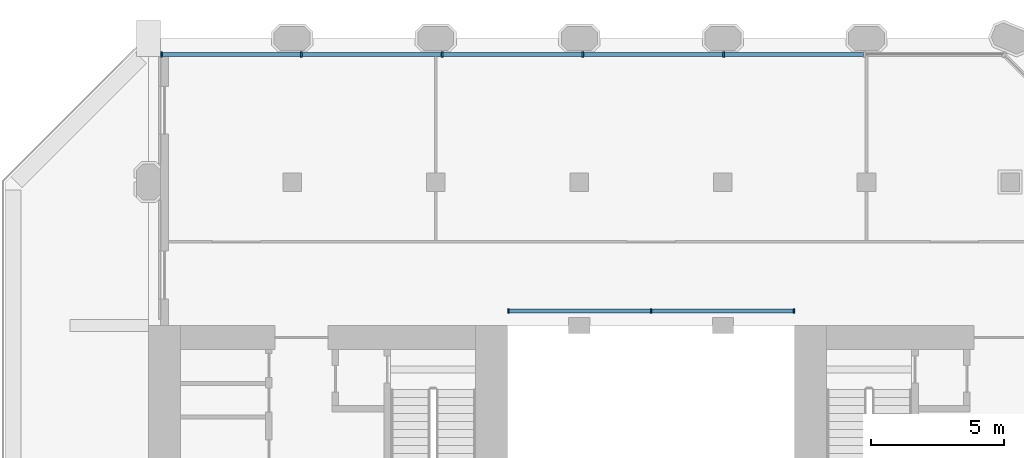
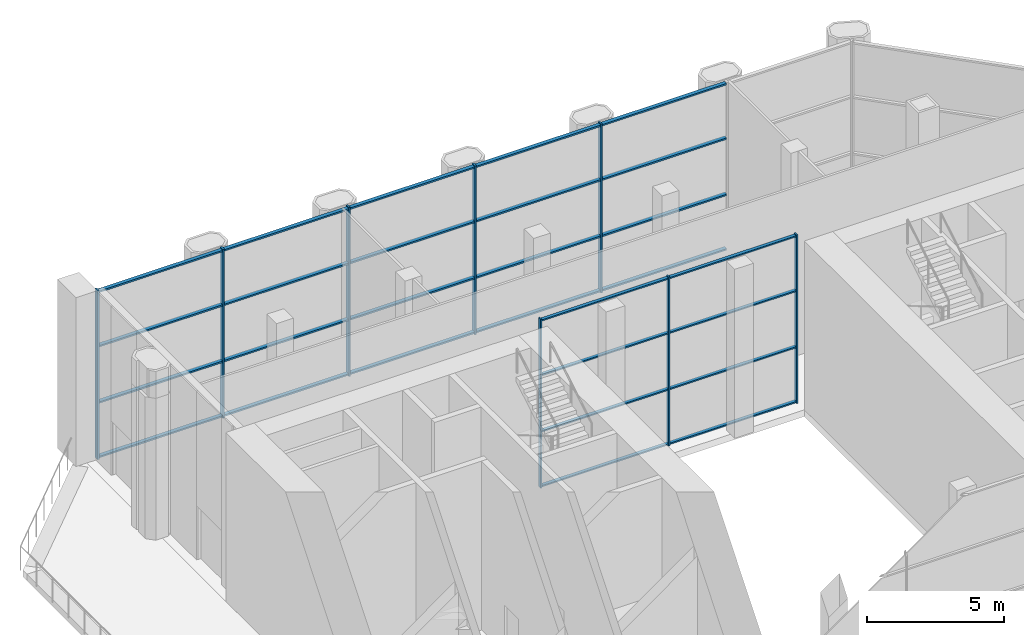
# One storey, part 6 of 20: 36 members, 2 elements without a shape of their own.
"""IFC4 building model written with IfcOpenShell, lengths in metres."""

from ifc_helpers import new_model, si_unit, direction, frame, origin, origin_2d, place, context, subcontext, project, spatial, rectangle, extrude, material, material_profile, profile_set, type_object, element, aggregate, save


model = new_model("IFC4")

# Units and contexts
model_context = context("Model", 3, precision=1e-05, world=origin(), true_north=direction((0.0, 1.0)))
body_context = subcontext(model_context, "Body", "Model", "MODEL_VIEW")
ifc_project = project(units=[si_unit("LENGTHUNIT", "METRE"), si_unit("AREAUNIT", "SQUARE_METRE"), si_unit("VOLUMEUNIT", "CUBIC_METRE"), si_unit("PLANEANGLEUNIT", "RADIAN"), si_unit("MASSUNIT", "GRAM", prefix="KILO")], contexts=[model_context])

# Site, building, storey
site_placement = place(None, origin())
site = spatial("IfcSite", under=ifc_project, at=site_placement, CompositionType="ELEMENT")
building_placement = place(site_placement, origin())
building = spatial("IfcBuilding", under=site, at=building_placement, Name="Tabaq Tower and Sports Hall", CompositionType="ELEMENT")
storey_placement = place(building_placement, frame((0.0, 0.0, 243.10009765625)))
storey = spatial("IfcBuildingStorey", under=building, at=storey_placement, Name="L60", CompositionType="ELEMENT", Elevation=243.10009765625)

# Curtain wall, members
ifc_material_1 = material(Name="Aluminium alloy 6063-T6 framed glazing", Category="aluminium")
curtain_wall_type_1 = type_object("IfcCurtainWallType", Name="CW1 curtain wall", PredefinedType="USERDEFINED", material=ifc_material_1)
curtain_wall_1_placement = place(storey_placement, origin())
curtain_wall_1 = element("IfcCurtainWall", 1, at=curtain_wall_1_placement, inside=storey, type_object=curtain_wall_type_1, Name="Atrium glazing L60 N", ObjectType="ATRIUM ENCLOSURE", PredefinedType="USERDEFINED")
ifc_material_2 = material(Name="Aluminium alloy 6063-T6", Category="aluminium")
ifc_material_profile_1 = material_profile(ifc_material_2, rectangle(XDim=0.159912109375, YDim=0.06005859375, at=origin_2d()), Name="MULLION 160x60")
ifc_profile_set_1 = profile_set([ifc_material_profile_1], Name="Aluminium alloy 6063-T6")
member_type_1 = type_object("IfcMemberType", Name="CW1 mullion 160x60", PredefinedType="MULLION", material=ifc_profile_set_1)
member_1_placement = place(storey_placement, frame((18.929931640625, 32.949951171875, 0.0), z_axis=(0.0, 0.0, 1.0), x_axis=(0.0, 1.0, 0.0)))
member_1 = element("IfcMember", 2, at=member_1_placement, type_object=member_type_1, Name="CW1 mullion 1", PredefinedType="MULLION", context=body_context, shape_type="SweptSolid", body=[
    extrude(rectangle(XDim=0.159912109375, YDim=0.06005859375, at=origin_2d()), origin(), (0.0, 0.0, 1.0), 7.5),
])
member_2_placement = place(storey_placement, frame((24.300048828125, 32.949951171875, 0.0), z_axis=(0.0, 0.0, 1.0), x_axis=(0.0, 1.0, 0.0)))
member_2 = element("IfcMember", 3, at=member_2_placement, type_object=member_type_1, Name="CW1 mullion 2", PredefinedType="MULLION", context=body_context, shape_type="SweptSolid", body=[
    extrude(rectangle(XDim=0.159912109375, YDim=0.06005859375, at=origin_2d()), origin(), (0.0, 0.0, 1.0), 7.5),
])
member_3_placement = place(storey_placement, frame((29.669921875, 32.949951171875, 0.0), z_axis=(0.0, 0.0, 1.0), x_axis=(0.0, 1.0, 0.0)))
member_3 = element("IfcMember", 4, at=member_3_placement, type_object=member_type_1, Name="CW1 mullion 3", PredefinedType="MULLION", context=body_context, shape_type="SweptSolid", body=[
    extrude(rectangle(XDim=0.159912109375, YDim=0.06005859375, at=origin_2d()), origin(), (0.0, 0.0, 1.0), 7.5),
])
ifc_material_3 = material(Name="Aluminium alloy 6063-T6", Category="aluminium")
ifc_material_profile_2 = material_profile(ifc_material_3, rectangle(XDim=0.139892578125, YDim=0.06005859375, at=origin_2d()), Name="TRANSOM 140x60")
ifc_profile_set_2 = profile_set([ifc_material_profile_2], Name="Aluminium alloy 6063-T6")
member_type_2 = type_object("IfcMemberType", Name="CW1 transom 140x60", PredefinedType="USERDEFINED", material=ifc_profile_set_2)
member_4_placement = place(storey_placement, frame((18.9599609375, 32.949951171875, 0.06982421875), z_axis=(1.0, 0.0, 0.0), x_axis=(0.0, 1.0, 0.0)))
member_4 = element("IfcMember", 5, at=member_4_placement, type_object=member_type_2, Name="CW1 transom 1.1", ObjectType="TRANSOM", PredefinedType="USERDEFINED", context=body_context, shape_type="SweptSolid", body=[
    extrude(rectangle(XDim=0.139892578125, YDim=0.06005859375, at=origin_2d()), origin(), (0.0, 0.0, 1.0), 5.31005859375),
])
member_5_placement = place(storey_placement, frame((18.9599609375, 32.949951171875, 2.5), z_axis=(1.0, 0.0, 0.0), x_axis=(0.0, 1.0, 0.0)))
member_5 = element("IfcMember", 6, at=member_5_placement, type_object=member_type_2, Name="CW1 transom 1.2", ObjectType="TRANSOM", PredefinedType="USERDEFINED", context=body_context, shape_type="SweptSolid", body=[
    extrude(rectangle(XDim=0.139892578125, YDim=0.06005859375, at=origin_2d()), origin(), (0.0, 0.0, 1.0), 5.31005859375),
])
member_6_placement = place(storey_placement, frame((18.9599609375, 32.949951171875, 5.0), z_axis=(1.0, 0.0, 0.0), x_axis=(0.0, 1.0, 0.0)))
member_6 = element("IfcMember", 7, at=member_6_placement, type_object=member_type_2, Name="CW1 transom 1.3", ObjectType="TRANSOM", PredefinedType="USERDEFINED", context=body_context, shape_type="SweptSolid", body=[
    extrude(rectangle(XDim=0.139892578125, YDim=0.06005859375, at=origin_2d()), origin(), (0.0, 0.0, 1.0), 5.31005859375),
])
member_7_placement = place(storey_placement, frame((18.9599609375, 32.949951171875, 7.429931640625), z_axis=(1.0, 0.0, 0.0), x_axis=(0.0, 1.0, 0.0)))
member_7 = element("IfcMember", 8, at=member_7_placement, type_object=member_type_2, Name="CW1 transom 1.4", ObjectType="TRANSOM", PredefinedType="USERDEFINED", context=body_context, shape_type="SweptSolid", body=[
    extrude(rectangle(XDim=0.139892578125, YDim=0.06005859375, at=origin_2d()), origin(), (0.0, 0.0, 1.0), 5.31005859375),
])
member_8_placement = place(storey_placement, frame((24.330078125, 32.949951171875, 0.06982421875), z_axis=(1.0, 0.0, 0.0), x_axis=(0.0, 1.0, 0.0)))
member_8 = element("IfcMember", 9, at=member_8_placement, type_object=member_type_2, Name="CW1 transom 2.1", ObjectType="TRANSOM", PredefinedType="USERDEFINED", context=body_context, shape_type="SweptSolid", body=[
    extrude(rectangle(XDim=0.139892578125, YDim=0.06005859375, at=origin_2d()), origin(), (0.0, 0.0, 1.0), 5.309814453125),
])
member_9_placement = place(storey_placement, frame((24.330078125, 32.949951171875, 2.5), z_axis=(1.0, 0.0, 0.0), x_axis=(0.0, 1.0, 0.0)))
member_9 = element("IfcMember", 10, at=member_9_placement, type_object=member_type_2, Name="CW1 transom 2.2", ObjectType="TRANSOM", PredefinedType="USERDEFINED", context=body_context, shape_type="SweptSolid", body=[
    extrude(rectangle(XDim=0.139892578125, YDim=0.06005859375, at=origin_2d()), origin(), (0.0, 0.0, 1.0), 5.309814453125),
])
member_10_placement = place(storey_placement, frame((24.330078125, 32.949951171875, 5.0), z_axis=(1.0, 0.0, 0.0), x_axis=(0.0, 1.0, 0.0)))
member_10 = element("IfcMember", 11, at=member_10_placement, type_object=member_type_2, Name="CW1 transom 2.3", ObjectType="TRANSOM", PredefinedType="USERDEFINED", context=body_context, shape_type="SweptSolid", body=[
    extrude(rectangle(XDim=0.139892578125, YDim=0.06005859375, at=origin_2d()), origin(), (0.0, 0.0, 1.0), 5.309814453125),
])
member_11_placement = place(storey_placement, frame((24.330078125, 32.949951171875, 7.429931640625), z_axis=(1.0, 0.0, 0.0), x_axis=(0.0, 1.0, 0.0)))
member_11 = element("IfcMember", 12, at=member_11_placement, type_object=member_type_2, Name="CW1 transom 2.4", ObjectType="TRANSOM", PredefinedType="USERDEFINED", context=body_context, shape_type="SweptSolid", body=[
    extrude(rectangle(XDim=0.139892578125, YDim=0.06005859375, at=origin_2d()), origin(), (0.0, 0.0, 1.0), 5.309814453125),
])
aggregate(curtain_wall_1, [member_1, member_2, member_3, member_4, member_5, member_6, member_7, member_8, member_9, member_10, member_11])

ifc_material_4 = material(Name="Aluminium alloy 6063-T6 framed glazing", Category="aluminium")
curtain_wall_type_2 = type_object("IfcCurtainWallType", Name="CW2 curtain wall", PredefinedType="USERDEFINED", material=ifc_material_4)
curtain_wall_2_placement = place(storey_placement, origin())
curtain_wall_2 = element("IfcCurtainWall", 13, at=curtain_wall_2_placement, inside=storey, type_object=curtain_wall_type_2, Name="Sky Lobby Wall L60 N", ObjectType="SKY LOBBY WALL", PredefinedType="USERDEFINED")
ifc_material_5 = material(Name="Aluminium alloy 6063-T6", Category="aluminium")
ifc_material_profile_3 = material_profile(ifc_material_5, rectangle(XDim=0.199951171875, YDim=0.070068359375, at=origin_2d()), Name="MULLION 200x70")
ifc_profile_set_3 = profile_set([ifc_material_profile_3], Name="Aluminium alloy 6063-T6")
member_type_3 = type_object("IfcMemberType", Name="CW2 mullion 200x70", PredefinedType="MULLION", material=ifc_profile_set_3)
member_12_placement = place(storey_placement, frame((27.025634765625, 42.60009765625, 0.0), z_axis=(0.0, 0.0, 1.0), x_axis=(0.0, -1.0, 0.0)))
member_12 = element("IfcMember", 14, at=member_12_placement, type_object=member_type_3, Name="CW2 mullion 3", PredefinedType="MULLION", context=body_context, shape_type="SweptSolid", body=[
    extrude(rectangle(XDim=0.199951171875, YDim=0.070068359375, at=origin_2d()), origin(), (0.0, 0.0, 1.0), 7.5),
])
member_13_placement = place(storey_placement, frame((21.731689453125, 42.60009765625, 0.0), z_axis=(0.0, 0.0, 1.0), x_axis=(0.0, -1.0, 0.0)))
member_13 = element("IfcMember", 15, at=member_13_placement, type_object=member_type_3, Name="CW2 mullion 4", PredefinedType="MULLION", context=body_context, shape_type="SweptSolid", body=[
    extrude(rectangle(XDim=0.199951171875, YDim=0.070068359375, at=origin_2d()), origin(), (0.0, 0.0, 1.0), 7.5),
])
member_14_placement = place(storey_placement, frame((16.43798828125, 42.60009765625, 0.0), z_axis=(0.0, 0.0, 1.0), x_axis=(0.0, -1.0, 0.0)))
member_14 = element("IfcMember", 16, at=member_14_placement, type_object=member_type_3, Name="CW2 mullion 5", PredefinedType="MULLION", context=body_context, shape_type="SweptSolid", body=[
    extrude(rectangle(XDim=0.199951171875, YDim=0.070068359375, at=origin_2d()), origin(), (0.0, 0.0, 1.0), 7.5),
])
member_15_placement = place(storey_placement, frame((11.14404296875, 42.60009765625, 0.0), z_axis=(0.0, 0.0, 1.0), x_axis=(0.0, -1.0, 0.0)))
member_15 = element("IfcMember", 17, at=member_15_placement, type_object=member_type_3, Name="CW2 mullion 6", PredefinedType="MULLION", context=body_context, shape_type="SweptSolid", body=[
    extrude(rectangle(XDim=0.199951171875, YDim=0.070068359375, at=origin_2d()), origin(), (0.0, 0.0, 1.0), 7.5),
])
member_16_placement = place(storey_placement, frame((5.885009765625, 42.60009765625, 0.0), z_axis=(0.0, 0.0, 1.0), x_axis=(0.0, -1.0, 0.0)))
member_16 = element("IfcMember", 18, at=member_16_placement, type_object=member_type_3, Name="CW2 mullion 7", PredefinedType="MULLION", context=body_context, shape_type="SweptSolid", body=[
    extrude(rectangle(XDim=0.199951171875, YDim=0.070068359375, at=origin_2d()), origin(), (0.0, 0.0, 1.0), 7.5),
])
ifc_material_6 = material(Name="Aluminium alloy 6063-T6", Category="aluminium")
ifc_material_profile_4 = material_profile(ifc_material_6, rectangle(XDim=0.159912109375, YDim=0.070068359375, at=origin_2d()), Name="TRANSOM 160x70")
ifc_profile_set_4 = profile_set([ifc_material_profile_4], Name="Aluminium alloy 6063-T6")
member_type_4 = type_object("IfcMemberType", Name="CW2 transom 160x70", PredefinedType="USERDEFINED", material=ifc_profile_set_4)
member_17_placement = place(storey_placement, frame((32.28466796875, 42.60009765625, 0.079833984375), z_axis=(-1.0, 0.0, 0.0), x_axis=(0.0, -1.0, 0.0)))
member_17 = element("IfcMember", 19, at=member_17_placement, type_object=member_type_4, Name="CW2 transom 2.1", ObjectType="TRANSOM", PredefinedType="USERDEFINED", context=body_context, shape_type="SweptSolid", body=[
    extrude(rectangle(XDim=0.159912109375, YDim=0.070068359375, at=origin_2d()), origin(), (0.0, 0.0, 1.0), 5.223876953125),
])
member_18_placement = place(storey_placement, frame((32.28466796875, 42.60009765625, 2.5), z_axis=(-1.0, 0.0, 0.0), x_axis=(0.0, -1.0, 0.0)))
member_18 = element("IfcMember", 20, at=member_18_placement, type_object=member_type_4, Name="CW2 transom 2.2", ObjectType="TRANSOM", PredefinedType="USERDEFINED", context=body_context, shape_type="SweptSolid", body=[
    extrude(rectangle(XDim=0.159912109375, YDim=0.070068359375, at=origin_2d()), origin(), (0.0, 0.0, 1.0), 5.223876953125),
])
member_19_placement = place(storey_placement, frame((32.28466796875, 42.60009765625, 5.0), z_axis=(-1.0, 0.0, 0.0), x_axis=(0.0, -1.0, 0.0)))
member_19 = element("IfcMember", 21, at=member_19_placement, type_object=member_type_4, Name="CW2 transom 2.3", ObjectType="TRANSOM", PredefinedType="USERDEFINED", context=body_context, shape_type="SweptSolid", body=[
    extrude(rectangle(XDim=0.159912109375, YDim=0.070068359375, at=origin_2d()), origin(), (0.0, 0.0, 1.0), 5.223876953125),
])
member_20_placement = place(storey_placement, frame((32.28466796875, 42.60009765625, 7.419921875), z_axis=(-1.0, 0.0, 0.0), x_axis=(0.0, -1.0, 0.0)))
member_20 = element("IfcMember", 22, at=member_20_placement, type_object=member_type_4, Name="CW2 transom 2.4", ObjectType="TRANSOM", PredefinedType="USERDEFINED", context=body_context, shape_type="SweptSolid", body=[
    extrude(rectangle(XDim=0.159912109375, YDim=0.070068359375, at=origin_2d()), origin(), (0.0, 0.0, 1.0), 5.223876953125),
])
member_21_placement = place(storey_placement, frame((26.99072265625, 42.60009765625, 0.079833984375), z_axis=(-1.0, 0.0, 0.0), x_axis=(0.0, -1.0, 0.0)))
member_21 = element("IfcMember", 23, at=member_21_placement, type_object=member_type_4, Name="CW2 transom 3.1", ObjectType="TRANSOM", PredefinedType="USERDEFINED", context=body_context, shape_type="SweptSolid", body=[
    extrude(rectangle(XDim=0.159912109375, YDim=0.070068359375, at=origin_2d()), origin(), (0.0, 0.0, 1.0), 5.223876953125),
])
member_22_placement = place(storey_placement, frame((26.99072265625, 42.60009765625, 2.5), z_axis=(-1.0, 0.0, 0.0), x_axis=(0.0, -1.0, 0.0)))
member_22 = element("IfcMember", 24, at=member_22_placement, type_object=member_type_4, Name="CW2 transom 3.2", ObjectType="TRANSOM", PredefinedType="USERDEFINED", context=body_context, shape_type="SweptSolid", body=[
    extrude(rectangle(XDim=0.159912109375, YDim=0.070068359375, at=origin_2d()), origin(), (0.0, 0.0, 1.0), 5.223876953125),
])
member_23_placement = place(storey_placement, frame((26.99072265625, 42.60009765625, 5.0), z_axis=(-1.0, 0.0, 0.0), x_axis=(0.0, -1.0, 0.0)))
member_23 = element("IfcMember", 25, at=member_23_placement, type_object=member_type_4, Name="CW2 transom 3.3", ObjectType="TRANSOM", PredefinedType="USERDEFINED", context=body_context, shape_type="SweptSolid", body=[
    extrude(rectangle(XDim=0.159912109375, YDim=0.070068359375, at=origin_2d()), origin(), (0.0, 0.0, 1.0), 5.223876953125),
])
member_24_placement = place(storey_placement, frame((26.99072265625, 42.60009765625, 7.419921875), z_axis=(-1.0, 0.0, 0.0), x_axis=(0.0, -1.0, 0.0)))
member_24 = element("IfcMember", 26, at=member_24_placement, type_object=member_type_4, Name="CW2 transom 3.4", ObjectType="TRANSOM", PredefinedType="USERDEFINED", context=body_context, shape_type="SweptSolid", body=[
    extrude(rectangle(XDim=0.159912109375, YDim=0.070068359375, at=origin_2d()), origin(), (0.0, 0.0, 1.0), 5.223876953125),
])
member_25_placement = place(storey_placement, frame((21.69677734375, 42.60009765625, 0.079833984375), z_axis=(-1.0, 0.0, 0.0), x_axis=(0.0, -1.0, 0.0)))
member_25 = element("IfcMember", 27, at=member_25_placement, type_object=member_type_4, Name="CW2 transom 4.1", ObjectType="TRANSOM", PredefinedType="USERDEFINED", context=body_context, shape_type="SweptSolid", body=[
    extrude(rectangle(XDim=0.159912109375, YDim=0.070068359375, at=origin_2d()), origin(), (0.0, 0.0, 1.0), 5.223876953125),
])
member_26_placement = place(storey_placement, frame((21.69677734375, 42.60009765625, 2.5), z_axis=(-1.0, 0.0, 0.0), x_axis=(0.0, -1.0, 0.0)))
member_26 = element("IfcMember", 28, at=member_26_placement, type_object=member_type_4, Name="CW2 transom 4.2", ObjectType="TRANSOM", PredefinedType="USERDEFINED", context=body_context, shape_type="SweptSolid", body=[
    extrude(rectangle(XDim=0.159912109375, YDim=0.070068359375, at=origin_2d()), origin(), (0.0, 0.0, 1.0), 5.223876953125),
])
member_27_placement = place(storey_placement, frame((21.69677734375, 42.60009765625, 5.0), z_axis=(-1.0, 0.0, 0.0), x_axis=(0.0, -1.0, 0.0)))
member_27 = element("IfcMember", 29, at=member_27_placement, type_object=member_type_4, Name="CW2 transom 4.3", ObjectType="TRANSOM", PredefinedType="USERDEFINED", context=body_context, shape_type="SweptSolid", body=[
    extrude(rectangle(XDim=0.159912109375, YDim=0.070068359375, at=origin_2d()), origin(), (0.0, 0.0, 1.0), 5.223876953125),
])
member_28_placement = place(storey_placement, frame((21.69677734375, 42.60009765625, 7.419921875), z_axis=(-1.0, 0.0, 0.0), x_axis=(0.0, -1.0, 0.0)))
member_28 = element("IfcMember", 30, at=member_28_placement, type_object=member_type_4, Name="CW2 transom 4.4", ObjectType="TRANSOM", PredefinedType="USERDEFINED", context=body_context, shape_type="SweptSolid", body=[
    extrude(rectangle(XDim=0.159912109375, YDim=0.070068359375, at=origin_2d()), origin(), (0.0, 0.0, 1.0), 5.223876953125),
])
member_29_placement = place(storey_placement, frame((16.40283203125, 42.60009765625, 0.079833984375), z_axis=(-1.0, 0.0, 0.0), x_axis=(0.0, -1.0, 0.0)))
member_29 = element("IfcMember", 31, at=member_29_placement, type_object=member_type_4, Name="CW2 transom 5.1", ObjectType="TRANSOM", PredefinedType="USERDEFINED", context=body_context, shape_type="SweptSolid", body=[
    extrude(rectangle(XDim=0.159912109375, YDim=0.070068359375, at=origin_2d()), origin(), (0.0, 0.0, 1.0), 5.223876953125),
])
member_30_placement = place(storey_placement, frame((16.40283203125, 42.60009765625, 2.5), z_axis=(-1.0, 0.0, 0.0), x_axis=(0.0, -1.0, 0.0)))
member_30 = element("IfcMember", 32, at=member_30_placement, type_object=member_type_4, Name="CW2 transom 5.2", ObjectType="TRANSOM", PredefinedType="USERDEFINED", context=body_context, shape_type="SweptSolid", body=[
    extrude(rectangle(XDim=0.159912109375, YDim=0.070068359375, at=origin_2d()), origin(), (0.0, 0.0, 1.0), 5.223876953125),
])
member_31_placement = place(storey_placement, frame((16.40283203125, 42.60009765625, 5.0), z_axis=(-1.0, 0.0, 0.0), x_axis=(0.0, -1.0, 0.0)))
member_31 = element("IfcMember", 33, at=member_31_placement, type_object=member_type_4, Name="CW2 transom 5.3", ObjectType="TRANSOM", PredefinedType="USERDEFINED", context=body_context, shape_type="SweptSolid", body=[
    extrude(rectangle(XDim=0.159912109375, YDim=0.070068359375, at=origin_2d()), origin(), (0.0, 0.0, 1.0), 5.223876953125),
])
member_32_placement = place(storey_placement, frame((16.40283203125, 42.60009765625, 7.419921875), z_axis=(-1.0, 0.0, 0.0), x_axis=(0.0, -1.0, 0.0)))
member_32 = element("IfcMember", 34, at=member_32_placement, type_object=member_type_4, Name="CW2 transom 5.4", ObjectType="TRANSOM", PredefinedType="USERDEFINED", context=body_context, shape_type="SweptSolid", body=[
    extrude(rectangle(XDim=0.159912109375, YDim=0.070068359375, at=origin_2d()), origin(), (0.0, 0.0, 1.0), 5.223876953125),
])
member_33_placement = place(storey_placement, frame((11.10888671875, 42.60009765625, 0.079833984375), z_axis=(-1.0, 0.0, 0.0), x_axis=(0.0, -1.0, 0.0)))
member_33 = element("IfcMember", 35, at=member_33_placement, type_object=member_type_4, Name="CW2 transom 6.1", ObjectType="TRANSOM", PredefinedType="USERDEFINED", context=body_context, shape_type="SweptSolid", body=[
    extrude(rectangle(XDim=0.159912109375, YDim=0.070068359375, at=origin_2d()), origin(), (0.0, 0.0, 1.0), 5.18896484375),
])
member_34_placement = place(storey_placement, frame((11.10888671875, 42.60009765625, 2.5), z_axis=(-1.0, 0.0, 0.0), x_axis=(0.0, -1.0, 0.0)))
member_34 = element("IfcMember", 36, at=member_34_placement, type_object=member_type_4, Name="CW2 transom 6.2", ObjectType="TRANSOM", PredefinedType="USERDEFINED", context=body_context, shape_type="SweptSolid", body=[
    extrude(rectangle(XDim=0.159912109375, YDim=0.070068359375, at=origin_2d()), origin(), (0.0, 0.0, 1.0), 5.18896484375),
])
member_35_placement = place(storey_placement, frame((11.10888671875, 42.60009765625, 5.0), z_axis=(-1.0, 0.0, 0.0), x_axis=(0.0, -1.0, 0.0)))
member_35 = element("IfcMember", 37, at=member_35_placement, type_object=member_type_4, Name="CW2 transom 6.3", ObjectType="TRANSOM", PredefinedType="USERDEFINED", context=body_context, shape_type="SweptSolid", body=[
    extrude(rectangle(XDim=0.159912109375, YDim=0.070068359375, at=origin_2d()), origin(), (0.0, 0.0, 1.0), 5.18896484375),
])
member_36_placement = place(storey_placement, frame((11.10888671875, 42.60009765625, 7.419921875), z_axis=(-1.0, 0.0, 0.0), x_axis=(0.0, -1.0, 0.0)))
member_36 = element("IfcMember", 38, at=member_36_placement, type_object=member_type_4, Name="CW2 transom 6.4", ObjectType="TRANSOM", PredefinedType="USERDEFINED", context=body_context, shape_type="SweptSolid", body=[
    extrude(rectangle(XDim=0.159912109375, YDim=0.070068359375, at=origin_2d()), origin(), (0.0, 0.0, 1.0), 5.18896484375),
])
aggregate(curtain_wall_2, [member_12, member_13, member_14, member_15, member_16, member_17, member_18, member_19, member_20, member_21, member_22, member_23, member_24, member_25, member_26, member_27, member_28, member_29, member_30, member_31, member_32, member_33, member_34, member_35, member_36])

save(model, "model.ifc")
